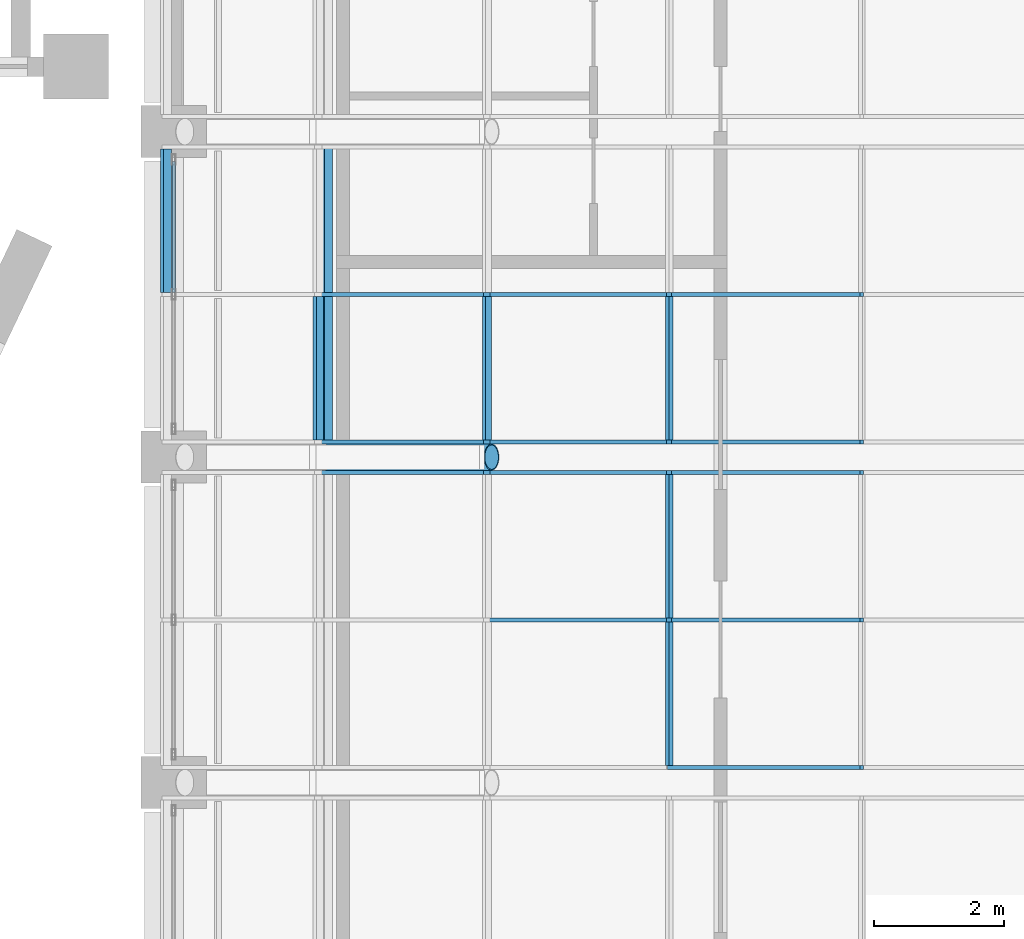
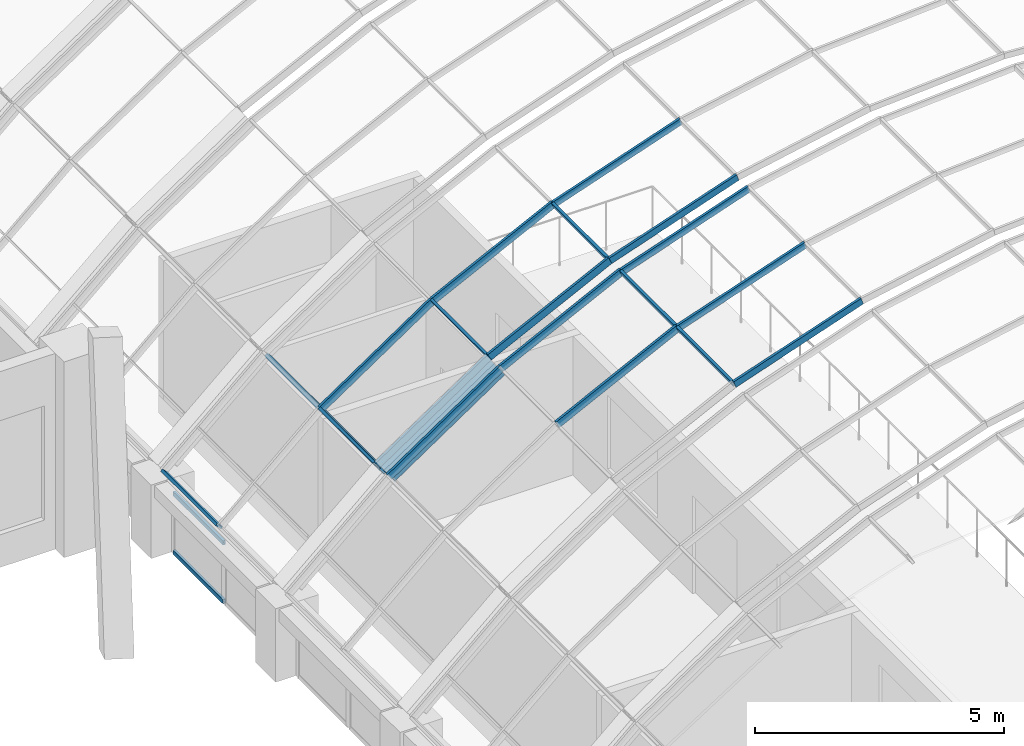
# One storey, part 49 of 182: 22 members, 3 elements without a shape of their own.
"""IFC4 building model written with IfcOpenShell, lengths in metres."""

from ifc_helpers import new_model, si_unit, direction, frame, origin, origin_2d, place, context, subcontext, project, spatial, rectangle, hollow_rectangle, hollow_circle, extrude, material, material_profile, profile_set, type_object, element, aggregate, save


model = new_model("IFC4")

# Units and contexts
model_context = context("Model", 3, precision=1e-05, world=origin(), true_north=direction((0.0, 1.0)))
body_context = subcontext(model_context, "Body", "Model", "MODEL_VIEW")
ifc_project = project(units=[si_unit("LENGTHUNIT", "METRE"), si_unit("AREAUNIT", "SQUARE_METRE"), si_unit("VOLUMEUNIT", "CUBIC_METRE"), si_unit("PLANEANGLEUNIT", "RADIAN"), si_unit("MASSUNIT", "GRAM", prefix="KILO")], contexts=[model_context])

# Site, building, storey
site_placement = place(None, origin())
site = spatial("IfcSite", under=ifc_project, at=site_placement, CompositionType="ELEMENT")
building_placement = place(site_placement, origin())
building = spatial("IfcBuilding", under=site, at=building_placement, Name="Okhra Congress Centre", CompositionType="ELEMENT")
storey_placement = place(building_placement, frame((0.0, 0.0, 7.199951171875)))
storey = spatial("IfcBuildingStorey", under=building, at=storey_placement, Name="L01", CompositionType="ELEMENT", Elevation=7.199951171875)

# Curtain wall, members
ifc_material_1 = material(Name="Aluminium frame with triple glazing", Category="aluminium")
curtain_wall_type_1 = type_object("IfcCurtainWallType", Name="Glazed vault bay curtain wall", PredefinedType="NOTDEFINED", material=ifc_material_1)
curtain_wall_1_placement = place(storey_placement, origin())
curtain_wall_1 = element("IfcCurtainWall", 1, at=curtain_wall_1_placement, inside=storey, type_object=curtain_wall_type_1, Name="Vault glazing bay 10", PredefinedType="NOTDEFINED")
ifc_material_2 = material(Name="Aluminium alloy 6063", Category="aluminium")
ifc_material_profile_1 = material_profile(ifc_material_2, rectangle(XDim=0.06005859375, YDim=0.159912109375, at=origin_2d()), Name="AL 60x160")
ifc_profile_set_1 = profile_set([ifc_material_profile_1], Name="Aluminium alloy 6063")
member_type_1 = type_object("IfcMemberType", Name="Aluminium mullion 60x160", PredefinedType="MULLION", material=ifc_profile_set_1)
member_1_placement = place(storey_placement, frame((163.11328125, 121.233154296875, 7.12255859375), z_axis=(0.946065064306, 0.0, 0.323976687587), x_axis=(0.0, 1.0, 0.0)))
member_1 = element("IfcMember", 2, at=member_1_placement, type_object=member_type_1, Name="Vault mullion 10.1.4", PredefinedType="MULLION", context=body_context, shape_type="SweptSolid", body=[
    extrude(rectangle(XDim=0.06005859375, YDim=0.159912109375, at=origin_2d()), origin(), (0.0, 0.0, 1.0), 3.124267578125),
])
member_2_placement = place(storey_placement, frame((163.11328125, 123.5, 7.12255859375), z_axis=(0.946065064306, 0.0, 0.323976687587), x_axis=(0.0, 1.0, 0.0)))
member_2 = element("IfcMember", 3, at=member_2_placement, type_object=member_type_1, Name="Vault mullion 10.2.4", PredefinedType="MULLION", context=body_context, shape_type="SweptSolid", body=[
    extrude(rectangle(XDim=0.06005859375, YDim=0.159912109375, at=origin_2d()), origin(), (0.0, 0.0, 1.0), 3.124267578125),
])
member_3_placement = place(storey_placement, frame((163.11328125, 125.766845703125, 7.12255859375), z_axis=(0.946065064306, 0.0, 0.323976687587), x_axis=(0.0, 1.0, 0.0)))
member_3 = element("IfcMember", 4, at=member_3_placement, type_object=member_type_1, Name="Vault mullion 10.3.4", PredefinedType="MULLION", context=body_context, shape_type="SweptSolid", body=[
    extrude(rectangle(XDim=0.06005859375, YDim=0.159912109375, at=origin_2d()), origin(), (0.0, 0.0, 1.0), 3.124267578125),
])

curtain_wall_2_placement = place(storey_placement, origin())
curtain_wall_2 = element("IfcCurtainWall", 5, at=curtain_wall_2_placement, inside=storey, type_object=curtain_wall_type_1, Name="Vault glazing bay 11", PredefinedType="NOTDEFINED")
member_4_placement = place(storey_placement, frame((163.11328125, 126.233154296875, 7.12255859375), z_axis=(0.946065064306, 0.0, 0.323976687587), x_axis=(0.0, 1.0, 0.0)))
member_4 = element("IfcMember", 6, at=member_4_placement, type_object=member_type_1, Name="Vault mullion 11.1.4", PredefinedType="MULLION", context=body_context, shape_type="SweptSolid", body=[
    extrude(rectangle(XDim=0.06005859375, YDim=0.159912109375, at=origin_2d()), origin(), (0.0, 0.0, 1.0), 3.124267578125),
])
member_5_placement = place(storey_placement, frame((163.11328125, 128.5, 7.12255859375), z_axis=(0.946065064306, 0.0, 0.323976687587), x_axis=(0.0, 1.0, 0.0)))
member_5 = element("IfcMember", 7, at=member_5_placement, type_object=member_type_1, Name="Vault mullion 11.2.4", PredefinedType="MULLION", context=body_context, shape_type="SweptSolid", body=[
    extrude(rectangle(XDim=0.06005859375, YDim=0.159912109375, at=origin_2d()), origin(), (0.0, 0.0, 1.0), 3.124267578125),
])

# Member
ifc_material_profile_2 = material_profile(ifc_material_2, rectangle(XDim=0.06005859375, YDim=0.179931640625, at=origin_2d()), Name="AL 60x180")
ifc_profile_set_2 = profile_set([ifc_material_profile_2], Name="Aluminium alloy 6063")
member_type_2 = type_object("IfcMemberType", Name="Aluminium mullion 60x180", PredefinedType="MULLION", material=ifc_profile_set_2)
member_6_placement = place(storey_placement, frame((160.311279296875, 123.5, 5.7392578125), z_axis=(0.895253656313, 0.0, 0.445556832354), x_axis=(0.0, 1.0, 0.0)))
member_6 = element("IfcMember", 8, at=member_6_placement, type_object=member_type_2, Name="Vault mullion 10.2.3", PredefinedType="MULLION", context=body_context, shape_type="SweptSolid", body=[
    extrude(rectangle(XDim=0.06005859375, YDim=0.179931640625, at=origin_2d()), origin(), (0.0, 0.0, 1.0), 3.12548828125),
])

member_7_placement = place(storey_placement, frame((157.720703125, 125.766845703125, 3.990478515625), z_axis=(0.828827846338, 0.0, 0.559503709671), x_axis=(0.0, 1.0, 0.0)))
member_7 = element("IfcMember", 9, at=member_7_placement, type_object=member_type_2, Name="Vault mullion 10.3.2", PredefinedType="MULLION", context=body_context, shape_type="SweptSolid", body=[
    extrude(rectangle(XDim=0.06005859375, YDim=0.179931640625, at=origin_2d()), origin(), (0.0, 0.0, 1.0), 3.12548828125),
])

member_8_placement = place(storey_placement, frame((160.311279296875, 125.766845703125, 5.7392578125), z_axis=(0.895253656313, 0.0, 0.445556832354), x_axis=(0.0, 1.0, 0.0)))
member_8 = element("IfcMember", 10, at=member_8_placement, type_object=member_type_2, Name="Vault mullion 10.3.3", PredefinedType="MULLION", context=body_context, shape_type="SweptSolid", body=[
    extrude(rectangle(XDim=0.06005859375, YDim=0.179931640625, at=origin_2d()), origin(), (0.0, 0.0, 1.0), 3.12548828125),
])

member_9_placement = place(storey_placement, frame((157.720703125, 126.233154296875, 3.990478515625), z_axis=(0.828827846338, 0.0, 0.559503709671), x_axis=(0.0, 1.0, 0.0)))
member_9 = element("IfcMember", 11, at=member_9_placement, type_object=member_type_2, Name="Vault mullion 11.1.2", PredefinedType="MULLION", context=body_context, shape_type="SweptSolid", body=[
    extrude(rectangle(XDim=0.06005859375, YDim=0.179931640625, at=origin_2d()), origin(), (0.0, 0.0, 1.0), 3.12548828125),
])

member_10_placement = place(storey_placement, frame((160.311279296875, 126.233154296875, 5.7392578125), z_axis=(0.895253656313, 0.0, 0.445556832354), x_axis=(0.0, 1.0, 0.0)))
member_10 = element("IfcMember", 12, at=member_10_placement, type_object=member_type_2, Name="Vault mullion 11.1.3", PredefinedType="MULLION", context=body_context, shape_type="SweptSolid", body=[
    extrude(rectangle(XDim=0.06005859375, YDim=0.179931640625, at=origin_2d()), origin(), (0.0, 0.0, 1.0), 3.12548828125),
])

member_11_placement = place(storey_placement, frame((157.720703125, 128.5, 3.990478515625), z_axis=(0.828827846338, 0.0, 0.559503709671), x_axis=(0.0, 1.0, 0.0)))
member_11 = element("IfcMember", 13, at=member_11_placement, type_object=member_type_2, Name="Vault mullion 11.2.2", PredefinedType="MULLION", context=body_context, shape_type="SweptSolid", body=[
    extrude(rectangle(XDim=0.06005859375, YDim=0.179931640625, at=origin_2d()), origin(), (0.0, 0.0, 1.0), 3.12548828125),
])

member_12_placement = place(storey_placement, frame((160.311279296875, 128.5, 5.7392578125), z_axis=(0.895253656313, 0.0, 0.445556832354), x_axis=(0.0, 1.0, 0.0)))
member_12 = element("IfcMember", 14, at=member_12_placement, type_object=member_type_2, Name="Vault mullion 11.2.3", PredefinedType="MULLION", context=body_context, shape_type="SweptSolid", body=[
    extrude(rectangle(XDim=0.06005859375, YDim=0.179931640625, at=origin_2d()), origin(), (0.0, 0.0, 1.0), 3.12548828125),
])

ifc_material_profile_3 = material_profile(ifc_material_2, rectangle(XDim=0.06005859375, YDim=0.159912109375, at=origin_2d()), Name="AL 60x160 transom")
ifc_profile_set_3 = profile_set([ifc_material_profile_3], Name="Aluminium alloy 6063")
member_type_3 = type_object("IfcMemberType", Name="Aluminium transom 60x160", PredefinedType="USERDEFINED", material=ifc_profile_set_3)
member_13_placement = place(storey_placement, frame((163.11328125, 121.26318359375, 7.12255859375), z_axis=(0.0, 1.0, 0.0), x_axis=(-0.922668973833, 0.0, -0.38559300399)))
member_13 = element("IfcMember", 15, at=member_13_placement, type_object=member_type_3, Name="Vault transom 10.1.4", ObjectType="TRANSOM", PredefinedType="USERDEFINED", context=body_context, shape_type="SweptSolid", body=[
    extrude(rectangle(XDim=0.06005859375, YDim=0.159912109375, at=origin_2d()), origin(), (0.0, 0.0, 1.0), 2.206787109375),
])

member_14_placement = place(storey_placement, frame((163.11328125, 123.530029296875, 7.12255859375), z_axis=(0.0, 1.0, 0.0), x_axis=(-0.922668973833, 0.0, -0.38559300399)))
member_14 = element("IfcMember", 16, at=member_14_placement, type_object=member_type_3, Name="Vault transom 10.2.4", ObjectType="TRANSOM", PredefinedType="USERDEFINED", context=body_context, shape_type="SweptSolid", body=[
    extrude(rectangle(XDim=0.06005859375, YDim=0.159912109375, at=origin_2d()), origin(), (0.0, 0.0, 1.0), 2.206787109375),
])

aggregate(curtain_wall_1, [member_1, member_6, member_2, member_7, member_8, member_3, member_13, member_14])

member_15_placement = place(storey_placement, frame((163.11328125, 126.26318359375, 7.12255859375), z_axis=(0.0, 1.0, 0.0), x_axis=(-0.922668973833, 0.0, -0.38559300399)))
member_15 = element("IfcMember", 17, at=member_15_placement, type_object=member_type_3, Name="Vault transom 11.1.4", ObjectType="TRANSOM", PredefinedType="USERDEFINED", context=body_context, shape_type="SweptSolid", body=[
    extrude(rectangle(XDim=0.06005859375, YDim=0.159912109375, at=origin_2d()), origin(), (0.0, 0.0, 1.0), 2.206787109375),
])

ifc_material_profile_4 = material_profile(ifc_material_2, rectangle(XDim=0.06005859375, YDim=0.179931640625, at=origin_2d()), Name="AL 60x180 transom")
ifc_profile_set_4 = profile_set([ifc_material_profile_4], Name="Aluminium alloy 6063")
member_type_4 = type_object("IfcMemberType", Name="Aluminium transom 60x180", PredefinedType="USERDEFINED", material=ifc_profile_set_4)
member_16_placement = place(storey_placement, frame((157.720703125, 126.26318359375, 3.990478515625), z_axis=(0.0, 1.0, 0.0), x_axis=(-0.790145035185, 0.0, -0.612919915954)))
member_16 = element("IfcMember", 18, at=member_16_placement, type_object=member_type_4, Name="Vault transom 11.1.2", ObjectType="TRANSOM", PredefinedType="USERDEFINED", context=body_context, shape_type="SweptSolid", body=[
    extrude(rectangle(XDim=0.06005859375, YDim=0.179931640625, at=origin_2d()), origin(), (0.0, 0.0, 1.0), 2.206787109375),
])

member_17_placement = place(storey_placement, frame((160.311279296875, 126.26318359375, 5.7392578125), z_axis=(0.0, 1.0, 0.0), x_axis=(-0.86391685861, 0.0, -0.503634452167)))
member_17 = element("IfcMember", 19, at=member_17_placement, type_object=member_type_4, Name="Vault transom 11.1.3", ObjectType="TRANSOM", PredefinedType="USERDEFINED", context=body_context, shape_type="SweptSolid", body=[
    extrude(rectangle(XDim=0.06005859375, YDim=0.179931640625, at=origin_2d()), origin(), (0.0, 0.0, 1.0), 2.206787109375),
])

member_18_placement = place(storey_placement, frame((155.382568359375, 128.530029296875, 1.916015625), z_axis=(0.0, 1.0, 0.0), x_axis=(-0.702636070549, 0.0, -0.711549402616)))
member_18 = element("IfcMember", 20, at=member_18_placement, type_object=member_type_4, Name="Vault transom 11.2.1", ObjectType="TRANSOM", PredefinedType="USERDEFINED", context=body_context, shape_type="SweptSolid", body=[
    extrude(rectangle(XDim=0.06005859375, YDim=0.179931640625, at=origin_2d()), origin(), (0.0, 0.0, 1.0), 2.206787109375),
])

aggregate(curtain_wall_2, [member_9, member_10, member_4, member_11, member_12, member_5, member_16, member_17, member_15, member_18])

# Curtain wall, members
ifc_material_3 = material(Name="Aluminium curtain wall, triple glazing", Category="aluminium")
curtain_wall_type_2 = type_object("IfcCurtainWallType", Name="Curtain wall 2100 module", PredefinedType="NOTDEFINED", material=ifc_material_3)
curtain_wall_3_placement = place(storey_placement, origin())
curtain_wall_3 = element("IfcCurtainWall", 21, at=curtain_wall_3_placement, inside=storey, type_object=curtain_wall_type_2, Name="West bay 11 clerestory glazing", PredefinedType="NOTDEFINED")
ifc_material_4 = material(Name="Aluminium alloy EN AW-6063 T66", Category="aluminium")
ifc_material_profile_5 = material_profile(ifc_material_4, hollow_rectangle(XDim=0.06005859375, YDim=0.10009765625, WallThickness=0.00390625, at=origin_2d()), Name="RHS 60x100x4")
ifc_profile_set_5 = profile_set([ifc_material_profile_5], Name="Aluminium alloy EN AW-6063 T66")
member_type_5 = type_object("IfcMemberType", Name="Curtain wall transom 60x100", PredefinedType="USERDEFINED", material=ifc_profile_set_5)
member_19_placement = place(storey_placement, frame((155.5, 128.530029296875, 0.030029296875), z_axis=(0.0, 1.0, 0.0), x_axis=(-1.0, 0.0, 0.0)))
member_19 = element("IfcMember", 22, at=member_19_placement, type_object=member_type_5, Name="CW4 transom 2.1", ObjectType="TRANSOM", PredefinedType="USERDEFINED", context=body_context, shape_type="SweptSolid", body=[
    extrude(hollow_rectangle(XDim=0.06005859375, YDim=0.10009765625, WallThickness=0.00390625, at=origin_2d()), origin(), (0.0, 0.0, 1.0), 2.010009765625),
])
member_20_placement = place(storey_placement, frame((155.5, 128.530029296875, 1.469970703125), z_axis=(0.0, 1.0, 0.0), x_axis=(-1.0, 0.0, 0.0)))
member_20 = element("IfcMember", 23, at=member_20_placement, type_object=member_type_5, Name="CW4 transom 2.2", ObjectType="TRANSOM", PredefinedType="USERDEFINED", context=body_context, shape_type="SweptSolid", body=[
    extrude(hollow_rectangle(XDim=0.06005859375, YDim=0.10009765625, WallThickness=0.00390625, at=origin_2d()), origin(), (0.0, 0.0, 1.0), 2.010009765625),
])
aggregate(curtain_wall_3, [member_19, member_20])

# Members
ifc_material_5 = material(Name="Steel S355J2", Category="steel")
ifc_material_profile_6 = material_profile(ifc_material_5, hollow_rectangle(XDim=0.10009765625, YDim=0.199951171875, WallThickness=0.008056640625, at=origin_2d()), Name="RHS 200x100x8")
ifc_profile_set_6 = profile_set([ifc_material_profile_6], Name="Steel S355J2")
member_type_6 = type_object("IfcMemberType", Name="Steel purlin RHS 200x100x8", PredefinedType="PURLIN", material=ifc_profile_set_6)
member_21_placement = place(storey_placement, frame((157.837158203125, 126.203125, 3.84033203125), z_axis=(0.0, 1.0, 0.0), x_axis=(-0.790145035185, 0.0, -0.612919915954)))
element("IfcMember", 24, at=member_21_placement, inside=storey, type_object=member_type_6, Name="Vault purlin 11.1", PredefinedType="PURLIN", context=body_context, shape_type="SweptSolid", body=[
    extrude(hollow_rectangle(XDim=0.10009765625, YDim=0.199951171875, WallThickness=0.008056640625, at=origin_2d()), origin(), (0.0, 0.0, 1.0), 4.59375),
])
ifc_material_profile_7 = material_profile(ifc_material_5, hollow_circle(Radius=0.203125, WallThickness=0.01611328125, at=origin_2d()), Name="CHS 406.4x16")
ifc_profile_set_7 = profile_set([ifc_material_profile_7], Name="Steel S355J2")
member_type_7 = type_object("IfcMemberType", Name="Tubular steel arch rib CHS 406x16", PredefinedType="USERDEFINED", material=ifc_profile_set_7)
member_22_placement = place(storey_placement, frame((157.8330078125, 126.0, 3.86767578125), z_axis=(0.82882567543, 0.0, 0.559506925558), x_axis=(0.0, 1.0, 0.0)))
element("IfcMember", 25, at=member_22_placement, inside=storey, type_object=member_type_7, Name="Arch rib 11.2", ObjectType="Arch rib", PredefinedType="USERDEFINED", context=body_context, shape_type="SweptSolid", body=[
    extrude(hollow_circle(Radius=0.203125, WallThickness=0.01611328125, at=origin_2d()), origin(), (0.0, 0.0, 1.0), 3.07666015625),
])

save(model, "model.ifc")
